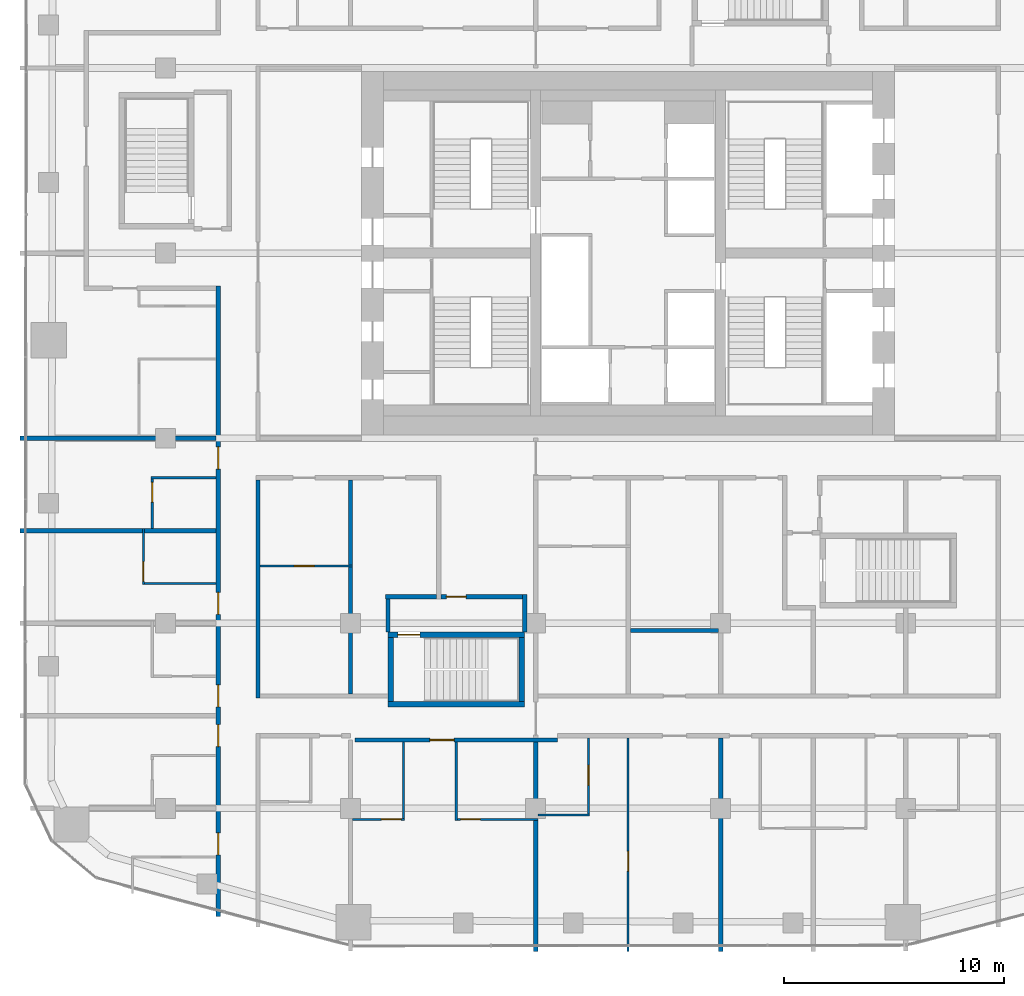
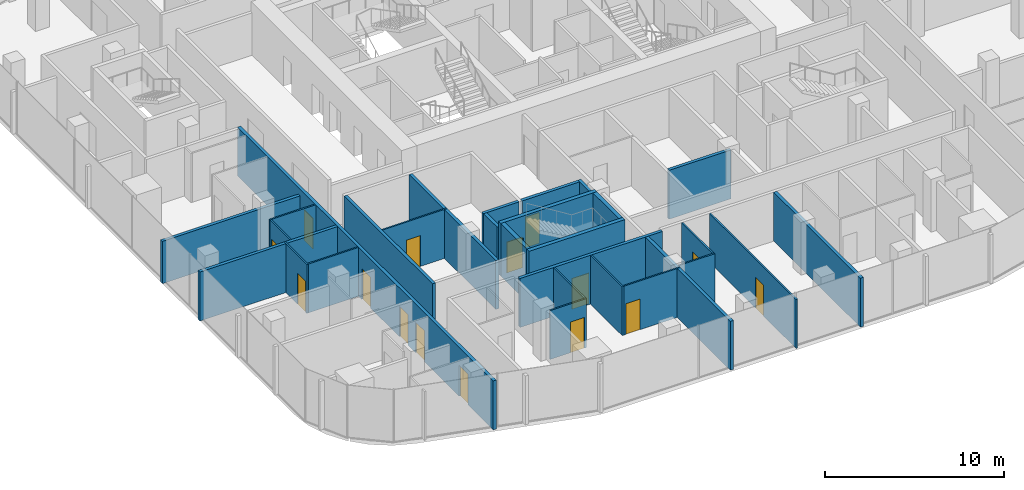
# One storey, part 14 of 23: 29 walls, 15 doors, 15 openings.
"""IFC4 building model written with IfcOpenShell, lengths in metres."""

from ifc_helpers import new_model, si_unit, direction, frame, frame_2d, origin, place, context, subcontext, project, spatial, rectangle, extrude, material, layer, layer_set, type_object, element, fill, save


model = new_model("IFC4")

# Units and contexts
model_context = context("Model", 3, precision=1e-05, world=origin(), true_north=direction((0.0, 1.0)))
body_context = subcontext(model_context, "Body", "Model", "MODEL_VIEW")
ifc_project = project(units=[si_unit("LENGTHUNIT", "METRE"), si_unit("AREAUNIT", "SQUARE_METRE"), si_unit("VOLUMEUNIT", "CUBIC_METRE"), si_unit("PLANEANGLEUNIT", "RADIAN"), si_unit("MASSUNIT", "GRAM", prefix="KILO")], contexts=[model_context])

# Site, building, storey
site_placement = place(None, origin())
site = spatial("IfcSite", under=ifc_project, at=site_placement, CompositionType="ELEMENT")
building_placement = place(site_placement, origin())
building = spatial("IfcBuilding", under=site, at=building_placement, Name="Marenta Gate Hotel Tower", CompositionType="ELEMENT")
storey_placement = place(building_placement, frame((0.0, 0.0, 155.300048828125)))
storey = spatial("IfcBuildingStorey", under=building, at=storey_placement, Name="L36", CompositionType="ELEMENT", Elevation=155.300048828125)

# Walls
ifc_material_1 = material(Name="Concrete blockwork", Category="masonry")
ifc_layer_1 = layer(ifc_material_1, 0.199951171875)
ifc_layer_set_1 = layer_set([ifc_layer_1], Name="Concrete blockwork")
wall_type_1 = type_object("IfcWallType", Name="Compartment wall 200 REI 180", PredefinedType="PARTITIONING", material=ifc_layer_set_1)
wall_1_placement = place(storey_placement, frame((-4.199951171875, -23.300048828125, 0.0), z_axis=(0.0, 0.0, 1.0), x_axis=(0.0, 1.0, 0.0)))
element("IfcWall", 1, at=wall_1_placement, inside=storey, type_object=wall_type_1, Name="L36-PTN-W073", PredefinedType="PARTITIONING", context=body_context, shape_type="SweptSolid", body=[
    extrude(rectangle(XDim=9.5, YDim=0.199951171875, at=frame_2d((4.75, 0.0))), origin(), (0.0, 0.0, 1.0), 3.33984375),
])
ifc_material_2 = material(Name="Concrete C40", Category="concrete")
ifc_layer_2 = layer(ifc_material_2, 0.25)
ifc_layer_set_2 = layer_set([ifc_layer_2], Name="Concrete C40")
wall_type_2 = type_object("IfcWallType", Name="Remote stair enclosure wall 250 REI 180", PredefinedType="SHEAR", material=ifc_layer_set_2)
wall_2_placement = place(storey_placement, frame((-10.89990234375, -12.074951171875, 0.099853515625), z_axis=(0.0, 0.0, 1.0), x_axis=(1.0, 0.0, 0.0)))
element("IfcWall", 2, at=wall_2_placement, inside=storey, type_object=wall_type_2, Name="L36-RS-Z2-1-W1", PredefinedType="SHEAR", context=body_context, shape_type="SweptSolid", body=[
    extrude(rectangle(XDim=6.199951171875, YDim=0.25, at=frame_2d((3.10009765625, 0.0))), origin(), (0.0, 0.0, 1.0), 3.60009765625),
])

# Wall, opening, door
wall_3_placement = place(storey_placement, frame((-10.89990234375, -8.925048828125, 0.099853515625), z_axis=(0.0, 0.0, 1.0), x_axis=(1.0, 0.0, 0.0)))
wall_3 = element("IfcWall", 3, at=wall_3_placement, inside=storey, type_object=wall_type_2, Name="L36-RS-Z2-1-W2", PredefinedType="SHEAR", context=body_context, shape_type="SweptSolid", body=[
    extrude(rectangle(XDim=6.199951171875, YDim=0.25, at=frame_2d((3.10009765625, 0.0))), origin(), (0.0, 0.0, 1.0), 3.60009765625),
])
opening_1_placement = place(wall_3_placement, frame((0.449951171875, 0.0, 0.0)))
opening_1 = element("IfcOpeningElement", 4, at=opening_1_placement, cuts=wall_3, Name="Opening VD", PredefinedType="OPENING", context=body_context, shape_type="SweptSolid", body=[
    extrude(rectangle(XDim=1.0, YDim=2.10009765625, at=frame_2d((0.5, 1.050048828125))), frame((0.0, 0.125, 0.0), z_axis=(0.0, -1.0, 0.0), x_axis=(1.0, 0.0, 0.0)), (0.0, 0.0, 1.0), 0.25),
])
ifc_material_3 = material(Name="Steel", Category="steel")
door_type_1 = type_object("IfcDoorType", Name="Stair vestibule door 1000x2100 FD60", OperationType="SINGLE_SWING_LEFT", PredefinedType="DOOR", material=ifc_material_3)
door_1_placement = place(opening_1_placement, origin())
door_1 = element("IfcDoor", 5, at=door_1_placement, inside=storey, type_object=door_type_1, Name="VD", OperationType="SINGLE_SWING_LEFT", OverallHeight=2.10009765625, OverallWidth=1.0, PredefinedType="DOOR", context=body_context, shape_type="SweptSolid", body=[
    extrude(rectangle(XDim=1.0, YDim=2.10009765625, at=frame_2d((0.5, 1.050048828125))), frame((0.0, 0.02490234375, 0.0), z_axis=(0.0, -1.0, 0.0), x_axis=(1.0, 0.0, 0.0)), (0.0, 0.0, 1.0), 0.050048828125),
])
fill(opening_1, door_1)

# Walls
for number, where, z_axis, x_axis, name in (
    (6, (-10.77490234375, -11.949951171875, 0.099853515625), (0.0, 0.0, 1.0), (0.0, 1.0, 0.0), "L36-RS-Z2-1-W3"),
    (7, (-4.824951171875, -11.949951171875, 0.099853515625), (0.0, 0.0, 1.0), (0.0, 1.0, 0.0), "L36-RS-Z2-1-W4"),
):
    element("IfcWall", number, at=place(storey_placement, frame(where, z_axis=z_axis, x_axis=x_axis)), inside=storey, type_object=wall_type_2, Name=name, PredefinedType="SHEAR", context=body_context, shape_type="SweptSolid", body=[
        extrude(rectangle(XDim=2.89990234375, YDim=0.25, at=frame_2d((1.449951171875, 0.0))), origin(), (0.0, 0.0, 1.0), 3.60009765625),
    ])

# Wall, opening, door
ifc_material_4 = material(Name="Gypsum board on steel stud", Category="steel")
ifc_layer_3 = layer(ifc_material_4, 0.199951171875)
ifc_layer_set_3 = layer_set([ifc_layer_3], Name="Gypsum board on steel stud")
wall_type_3 = type_object("IfcWallType", Name="Room corridor wall 200 EI 60", PredefinedType="PARTITIONING", material=ifc_layer_set_3)
wall_4_placement = place(storey_placement, frame((-12.39990234375, -13.699951171875, 0.0), z_axis=(0.0, 0.0, 1.0), x_axis=(1.0, 0.0, 0.0)))
wall_4 = element("IfcWall", 8, at=wall_4_placement, inside=storey, type_object=wall_type_3, Name="L36-PTN-W024", PredefinedType="PARTITIONING", context=body_context, shape_type="SweptSolid", body=[
    extrude(rectangle(XDim=9.199951171875, YDim=0.199951171875, at=frame_2d((4.60009765625, 0.0))), origin(), (0.0, 0.0, 1.0), 3.33984375),
])
opening_2_placement = place(wall_4_placement, frame((3.39990234375, 0.0, 0.0)))
opening_2 = element("IfcOpeningElement", 9, at=opening_2_placement, cuts=wall_4, Name="Opening G13-31", PredefinedType="OPENING", context=body_context, shape_type="SweptSolid", body=[
    extrude(rectangle(XDim=1.10009765625, YDim=2.10009765625, at=frame_2d((0.550048828125, 1.050048828125))), frame((0.0, 0.10009765625, 0.0), z_axis=(0.0, -1.0, 0.0), x_axis=(1.0, 0.0, 0.0)), (0.0, 0.0, 1.0), 0.199951171875),
])
ifc_material_5 = material(Name="Timber door leaf", Category="wood")
door_type_2 = type_object("IfcDoorType", Name="Guest room door 1100x2100 EI 30", OperationType="NOTDEFINED", PredefinedType="DOOR", material=ifc_material_5)
door_2_placement = place(opening_2_placement, origin())
door_2 = element("IfcDoor", 10, at=door_2_placement, inside=storey, type_object=door_type_2, Name="L36-PD-D031", OperationType="SINGLE_SWING_LEFT", OverallHeight=2.10009765625, OverallWidth=1.10009765625, PredefinedType="DOOR", context=body_context, shape_type="SweptSolid", body=[
    extrude(rectangle(XDim=1.10009765625, YDim=2.10009765625, at=frame_2d((0.550048828125, 1.050048828125))), frame((0.0, 0.02490234375, 0.0), z_axis=(0.0, -1.0, 0.0), x_axis=(1.0, 0.0, 0.0)), (0.0, 0.0, 1.0), 0.050048828125),
])
fill(opening_2, door_2)

# Wall
wall_5_placement = place(storey_placement, frame((-16.800048828125, -11.800048828125, 0.0), z_axis=(0.0, 0.0, 1.0), x_axis=(0.0, 1.0, 0.0)))
element("IfcWall", 11, at=wall_5_placement, inside=storey, type_object=wall_type_3, Name="L36-PTN-W095", PredefinedType="PARTITIONING", context=body_context, shape_type="SweptSolid", body=[
    extrude(rectangle(XDim=9.900146484375, YDim=0.199951171875, at=frame_2d((4.9501953125, 0.0))), origin(), (0.0, 0.0, 1.0), 3.33984375),
])

# Wall, openings, doors
wall_6_placement = place(storey_placement, frame((-18.60009765625, -21.7080078125, 0.0), z_axis=(0.0, 0.0, 1.0), x_axis=(0.0, 1.0, 0.0)))
wall_6 = element("IfcWall", 12, at=wall_6_placement, inside=storey, type_object=wall_type_3, Name="L36-PTN-W101", PredefinedType="PARTITIONING", context=body_context, shape_type="SweptSolid", body=[
    extrude(rectangle(XDim=28.60791015625, YDim=0.199951171875, at=frame_2d((14.303955078125, 0.0))), origin(), (0.0, 0.0, 1.0), 3.33984375),
])
opening_3_placement = place(wall_6_placement, frame((2.800048828125, 0.0, 0.0)))
opening_3 = element("IfcOpeningElement", 13, at=opening_3_placement, cuts=wall_6, Name="Opening G13-43", PredefinedType="OPENING", context=body_context, shape_type="SweptSolid", body=[
    extrude(rectangle(XDim=1.0, YDim=2.10009765625, at=frame_2d((0.5, 1.050048828125))), frame((0.0, 0.10009765625, 0.0), z_axis=(0.0, -1.0, 0.0), x_axis=(1.0, 0.0, 0.0)), (0.0, 0.0, 1.0), 0.199951171875),
])
opening_4_placement = place(wall_6_placement, frame((7.7080078125, 0.0, 0.0)))
opening_4 = element("IfcOpeningElement", 14, at=opening_4_placement, cuts=wall_6, Name="Opening G13-45", PredefinedType="OPENING", context=body_context, shape_type="SweptSolid", body=[
    extrude(rectangle(XDim=1.0, YDim=2.10009765625, at=frame_2d((0.5, 1.050048828125))), frame((0.0, 0.10009765625, 0.0), z_axis=(0.0, -1.0, 0.0), x_axis=(1.0, 0.0, 0.0)), (0.0, 0.0, 1.0), 0.199951171875),
])
opening_5_placement = place(wall_6_placement, frame((9.508056640625, 0.0, 0.0)))
opening_5 = element("IfcOpeningElement", 15, at=opening_5_placement, cuts=wall_6, Name="Opening G13-47", PredefinedType="OPENING", context=body_context, shape_type="SweptSolid", body=[
    extrude(rectangle(XDim=1.0, YDim=2.10009765625, at=frame_2d((0.5, 1.050048828125))), frame((0.0, 0.10009765625, 0.0), z_axis=(0.0, -1.0, 0.0), x_axis=(1.0, 0.0, 0.0)), (0.0, 0.0, 1.0), 0.199951171875),
])
opening_6_placement = place(wall_6_placement, frame((13.7080078125, 0.0, 0.0)))
opening_6 = element("IfcOpeningElement", 16, at=opening_6_placement, cuts=wall_6, Name="Opening G13-49", PredefinedType="OPENING", context=body_context, shape_type="SweptSolid", body=[
    extrude(rectangle(XDim=1.0, YDim=2.10009765625, at=frame_2d((0.5, 1.050048828125))), frame((0.0, 0.10009765625, 0.0), z_axis=(0.0, -1.0, 0.0), x_axis=(1.0, 0.0, 0.0)), (0.0, 0.0, 1.0), 0.199951171875),
])
opening_7_placement = place(wall_6_placement, frame((20.30810546875, 0.0, 0.0)))
opening_7 = element("IfcOpeningElement", 17, at=opening_7_placement, cuts=wall_6, Name="Opening G13-51", PredefinedType="OPENING", context=body_context, shape_type="SweptSolid", body=[
    extrude(rectangle(XDim=1.0, YDim=2.10009765625, at=frame_2d((0.5, 1.050048828125))), frame((0.0, 0.10009765625, 0.0), z_axis=(0.0, -1.0, 0.0), x_axis=(1.0, 0.0, 0.0)), (0.0, 0.0, 1.0), 0.199951171875),
])
ifc_material_6 = material(Name="Timber door leaf", Category="wood")
door_type_3 = type_object("IfcDoorType", Name="Guest room door 1000x2100 EI 30", OperationType="NOTDEFINED", PredefinedType="DOOR", material=ifc_material_6)
door_3_placement = place(opening_3_placement, origin())
door_3 = element("IfcDoor", 18, at=door_3_placement, inside=storey, type_object=door_type_3, Name="L36-PD-D043", OperationType="SINGLE_SWING_LEFT", OverallHeight=2.10009765625, OverallWidth=1.0, PredefinedType="DOOR", context=body_context, shape_type="SweptSolid", body=[
    extrude(rectangle(XDim=1.0, YDim=2.10009765625, at=frame_2d((0.5, 1.050048828125))), frame((0.0, 0.02490234375, 0.0), z_axis=(0.0, -1.0, 0.0), x_axis=(1.0, 0.0, 0.0)), (0.0, 0.0, 1.0), 0.050048828125),
])
fill(opening_3, door_3)
door_4_placement = place(opening_4_placement, origin())
door_4 = element("IfcDoor", 19, at=door_4_placement, inside=storey, type_object=door_type_3, Name="L36-PD-D045", OperationType="SINGLE_SWING_RIGHT", OverallHeight=2.10009765625, OverallWidth=1.0, PredefinedType="DOOR", context=body_context, shape_type="SweptSolid", body=[
    extrude(rectangle(XDim=1.0, YDim=2.10009765625, at=frame_2d((0.5, 1.050048828125))), frame((0.0, 0.02490234375, 0.0), z_axis=(0.0, -1.0, 0.0), x_axis=(1.0, 0.0, 0.0)), (0.0, 0.0, 1.0), 0.050048828125),
])
fill(opening_4, door_4)
door_5_placement = place(opening_5_placement, origin())
door_5 = element("IfcDoor", 20, at=door_5_placement, inside=storey, type_object=door_type_3, Name="L36-PD-D047", OperationType="SINGLE_SWING_RIGHT", OverallHeight=2.10009765625, OverallWidth=1.0, PredefinedType="DOOR", context=body_context, shape_type="SweptSolid", body=[
    extrude(rectangle(XDim=1.0, YDim=2.10009765625, at=frame_2d((0.5, 1.050048828125))), frame((0.0, 0.02490234375, 0.0), z_axis=(0.0, -1.0, 0.0), x_axis=(1.0, 0.0, 0.0)), (0.0, 0.0, 1.0), 0.050048828125),
])
fill(opening_5, door_5)
door_6_placement = place(opening_6_placement, origin())
door_6 = element("IfcDoor", 21, at=door_6_placement, inside=storey, type_object=door_type_3, Name="L36-PD-D049", OperationType="SINGLE_SWING_RIGHT", OverallHeight=2.10009765625, OverallWidth=1.0, PredefinedType="DOOR", context=body_context, shape_type="SweptSolid", body=[
    extrude(rectangle(XDim=1.0, YDim=2.10009765625, at=frame_2d((0.5, 1.050048828125))), frame((0.0, 0.02490234375, 0.0), z_axis=(0.0, -1.0, 0.0), x_axis=(1.0, 0.0, 0.0)), (0.0, 0.0, 1.0), 0.050048828125),
])
fill(opening_6, door_6)
door_7_placement = place(opening_7_placement, origin())
door_7 = element("IfcDoor", 22, at=door_7_placement, inside=storey, type_object=door_type_3, Name="L36-PD-D051", OperationType="SINGLE_SWING_RIGHT", OverallHeight=2.10009765625, OverallWidth=1.0, PredefinedType="DOOR", context=body_context, shape_type="SweptSolid", body=[
    extrude(rectangle(XDim=1.0, YDim=2.10009765625, at=frame_2d((0.5, 1.050048828125))), frame((0.0, 0.02490234375, 0.0), z_axis=(0.0, -1.0, 0.0), x_axis=(1.0, 0.0, 0.0)), (0.0, 0.0, 1.0), 0.050048828125),
])
fill(opening_7, door_7)

# Wall, opening, door
ifc_material_7 = material(Name="Concrete blockwork", Category="masonry")
ifc_layer_4 = layer(ifc_material_7, 0.199951171875)
ifc_layer_set_4 = layer_set([ifc_layer_4], Name="Concrete blockwork")
wall_type_4 = type_object("IfcWallType", Name="Room corridor wall 200 REI 180", PredefinedType="PARTITIONING", material=ifc_layer_set_4)
wall_7_placement = place(storey_placement, frame((-8.5, -7.199951171875, 0.0), z_axis=(0.0, 0.0, 1.0), x_axis=(1.0, 0.0, 0.0)))
wall_7 = element("IfcWall", 23, at=wall_7_placement, inside=storey, type_object=wall_type_4, Name="L36-PTN-W048", PredefinedType="PARTITIONING", context=body_context, shape_type="SweptSolid", body=[
    extrude(rectangle(XDim=3.699951171875, YDim=0.199951171875, at=frame_2d((1.85009765625, 0.0))), origin(), (0.0, 0.0, 1.0), 3.33984375),
])
opening_8_placement = place(wall_7_placement, frame((0.25, 0.0, 0.0)))
opening_8 = element("IfcOpeningElement", 24, at=opening_8_placement, cuts=wall_7, Name="Opening G13-59", PredefinedType="OPENING", context=body_context, shape_type="SweptSolid", body=[
    extrude(rectangle(XDim=0.89990234375, YDim=2.10009765625, at=frame_2d((0.449951171875, 1.050048828125))), frame((0.0, 0.10009765625, 0.0), z_axis=(0.0, -1.0, 0.0), x_axis=(1.0, 0.0, 0.0)), (0.0, 0.0, 1.0), 0.199951171875),
])
ifc_material_8 = material(Name="Hollow steel door set", Category="steel")
door_type_4 = type_object("IfcDoorType", Name="Stair vestibule door 900x2100 EI 60", OperationType="NOTDEFINED", PredefinedType="DOOR", material=ifc_material_8)
door_8_placement = place(opening_8_placement, origin())
door_8 = element("IfcDoor", 25, at=door_8_placement, inside=storey, type_object=door_type_4, Name="L36-PD-D059", OperationType="SINGLE_SWING_RIGHT", OverallHeight=2.10009765625, OverallWidth=0.89990234375, PredefinedType="DOOR", context=body_context, shape_type="SweptSolid", body=[
    extrude(rectangle(XDim=0.89990234375, YDim=2.10009765625, at=frame_2d((0.449951171875, 1.050048828125))), frame((0.0, 0.02490234375, 0.0), z_axis=(0.0, -1.0, 0.0), x_axis=(1.0, 0.0, 0.0)), (0.0, 0.0, 1.0), 0.050048828125),
])
fill(opening_8, door_8)

# Wall
wall_8_placement = place(storey_placement, frame((-4.699951171875, -8.800048828125, 0.0), z_axis=(0.0, 0.0, 1.0), x_axis=(0.0, 1.0, 0.0)))
element("IfcWall", 26, at=wall_8_placement, inside=storey, type_object=wall_type_4, Name="L36-PTN-W077", PredefinedType="PARTITIONING", context=body_context, shape_type="SweptSolid", body=[
    extrude(rectangle(XDim=1.699951171875, YDim=0.199951171875, at=frame_2d((0.85009765625, 0.0))), origin(), (0.0, 0.0, 1.0), 3.33984375),
])

# Wall, opening, door
ifc_material_9 = material(Name="Gypsum board on steel stud", Category="steel")
ifc_layer_5 = layer(ifc_material_9, 0.10009765625)
ifc_layer_set_5 = layer_set([ifc_layer_5], Name="Gypsum board on steel stud")
wall_type_5 = type_object("IfcWallType", Name="Room partition 100", PredefinedType="PARTITIONING", material=ifc_layer_set_5)
wall_9_placement = place(storey_placement, frame((-12.5, -17.300048828125, 0.0), z_axis=(0.0, 0.0, 1.0), x_axis=(1.0, 0.0, 0.0)))
wall_9 = element("IfcWall", 27, at=wall_9_placement, inside=storey, type_object=wall_type_5, Name="L36-PTN-W011", PredefinedType="PARTITIONING", context=body_context, shape_type="SweptSolid", body=[
    extrude(rectangle(XDim=2.35009765625, YDim=0.10009765625, at=frame_2d((1.175048828125, 0.0))), origin(), (0.0, 0.0, 1.0), 3.33984375),
])
opening_9_placement = place(wall_9_placement, frame((1.300048828125, 0.0, 0.0)))
opening_9 = element("IfcOpeningElement", 28, at=opening_9_placement, cuts=wall_9, Name="Opening G13-33", PredefinedType="OPENING", context=body_context, shape_type="SweptSolid", body=[
    extrude(rectangle(XDim=0.89990234375, YDim=2.10009765625, at=frame_2d((0.449951171875, 1.050048828125))), frame((0.0, 0.050048828125, 0.0), z_axis=(0.0, -1.0, 0.0), x_axis=(1.0, 0.0, 0.0)), (0.0, 0.0, 1.0), 0.10009765625),
])
ifc_material_10 = material(Name="Timber door leaf", Category="wood")
door_type_5 = type_object("IfcDoorType", Name="Room inner door 900x2100", OperationType="NOTDEFINED", PredefinedType="DOOR", material=ifc_material_10)
door_9_placement = place(opening_9_placement, origin())
door_9 = element("IfcDoor", 29, at=door_9_placement, inside=storey, type_object=door_type_5, Name="L36-PD-D033", OperationType="SINGLE_SWING_RIGHT", OverallHeight=2.10009765625, OverallWidth=0.89990234375, PredefinedType="DOOR", context=body_context, shape_type="SweptSolid", body=[
    extrude(rectangle(XDim=0.89990234375, YDim=2.10009765625, at=frame_2d((0.449951171875, 1.050048828125))), frame((0.0, 0.02490234375, 0.0), z_axis=(0.0, -1.0, 0.0), x_axis=(1.0, 0.0, 0.0)), (0.0, 0.0, 1.0), 0.050048828125),
])
fill(opening_9, door_9)

wall_10_placement = place(storey_placement, frame((-7.75, -17.300048828125, 0.0), z_axis=(0.0, 0.0, 1.0), x_axis=(1.0, 0.0, 0.0)))
wall_10 = element("IfcWall", 30, at=wall_10_placement, inside=storey, type_object=wall_type_5, Name="L36-PTN-W012", PredefinedType="PARTITIONING", context=body_context, shape_type="SweptSolid", body=[
    extrude(rectangle(XDim=3.64990234375, YDim=0.10009765625, at=frame_2d((1.824951171875, 0.0))), origin(), (0.0, 0.0, 1.0), 3.33984375),
])
opening_10_placement = place(wall_10_placement, frame((0.14990234375, 0.0, 0.0)))
opening_10 = element("IfcOpeningElement", 31, at=opening_10_placement, cuts=wall_10, Name="Opening G13-32", PredefinedType="OPENING", context=body_context, shape_type="SweptSolid", body=[
    extrude(rectangle(XDim=0.89990234375, YDim=2.10009765625, at=frame_2d((0.449951171875, 1.050048828125))), frame((0.0, 0.050048828125, 0.0), z_axis=(0.0, -1.0, 0.0), x_axis=(1.0, 0.0, 0.0)), (0.0, 0.0, 1.0), 0.10009765625),
])
ifc_material_11 = material(Name="Timber door leaf", Category="wood")
door_type_6 = type_object("IfcDoorType", Name="Guest bathroom door 900x2100", OperationType="NOTDEFINED", PredefinedType="DOOR", material=ifc_material_11)
door_10_placement = place(opening_10_placement, origin())
door_10 = element("IfcDoor", 32, at=door_10_placement, inside=storey, type_object=door_type_6, Name="L36-PD-D032", OperationType="SINGLE_SWING_LEFT", OverallHeight=2.10009765625, OverallWidth=0.89990234375, PredefinedType="DOOR", context=body_context, shape_type="SweptSolid", body=[
    extrude(rectangle(XDim=0.89990234375, YDim=2.10009765625, at=frame_2d((0.449951171875, 1.050048828125))), frame((0.0, 0.02490234375, 0.0), z_axis=(0.0, -1.0, 0.0), x_axis=(1.0, 0.0, 0.0)), (0.0, 0.0, 1.0), 0.050048828125),
])
fill(opening_10, door_10)

# Walls
wall_11_placement = place(storey_placement, frame((-4.10009765625, -17.10009765625, 0.0), z_axis=(0.0, 0.0, 1.0), x_axis=(1.0, 0.0, 0.0)))
element("IfcWall", 33, at=wall_11_placement, inside=storey, type_object=wall_type_5, Name="L36-PTN-W013", PredefinedType="PARTITIONING", context=body_context, shape_type="SweptSolid", body=[
    extrude(rectangle(XDim=2.35009765625, YDim=0.10009765625, at=frame_2d((1.175048828125, 0.0))), origin(), (0.0, 0.0, 1.0), 3.33984375),
])
wall_12_placement = place(storey_placement, frame((-21.949951171875, -6.60009765625, 0.0), z_axis=(0.0, 0.0, 1.0), x_axis=(1.0, 0.0, 0.0)))
element("IfcWall", 34, at=wall_12_placement, inside=storey, type_object=wall_type_5, Name="L36-PTN-W051", PredefinedType="PARTITIONING", context=body_context, shape_type="SweptSolid", body=[
    extrude(rectangle(XDim=3.25, YDim=0.10009765625, at=frame_2d((1.625, 0.0))), origin(), (0.0, 0.0, 1.0), 3.33984375),
])

# Wall, opening, door
wall_13_placement = place(storey_placement, frame((-16.699951171875, -5.800048828125, 0.0), z_axis=(0.0, 0.0, 1.0), x_axis=(1.0, 0.0, 0.0)))
wall_13 = element("IfcWall", 35, at=wall_13_placement, inside=storey, type_object=wall_type_5, Name="L36-PTN-W053", PredefinedType="PARTITIONING", context=body_context, shape_type="SweptSolid", body=[
    extrude(rectangle(XDim=4.199951171875, YDim=0.10009765625, at=frame_2d((2.10009765625, 0.0))), origin(), (0.0, 0.0, 1.0), 3.33984375),
])
opening_11_placement = place(wall_13_placement, frame((1.550048828125, 0.0, 0.0)))
opening_11 = element("IfcOpeningElement", 36, at=opening_11_placement, cuts=wall_13, Name="Opening G13-02", PredefinedType="OPENING", context=body_context, shape_type="SweptSolid", body=[
    extrude(rectangle(XDim=0.89990234375, YDim=2.10009765625, at=frame_2d((0.449951171875, 1.050048828125))), frame((0.0, 0.050048828125, 0.0), z_axis=(0.0, -1.0, 0.0), x_axis=(1.0, 0.0, 0.0)), (0.0, 0.0, 1.0), 0.10009765625),
])
door_11_placement = place(opening_11_placement, origin())
door_11 = element("IfcDoor", 37, at=door_11_placement, inside=storey, type_object=door_type_5, Name="L36-PD-D002", OperationType="SINGLE_SWING_RIGHT", OverallHeight=2.10009765625, OverallWidth=0.89990234375, PredefinedType="DOOR", context=body_context, shape_type="SweptSolid", body=[
    extrude(rectangle(XDim=0.89990234375, YDim=2.10009765625, at=frame_2d((0.449951171875, 1.050048828125))), frame((0.0, 0.02490234375, 0.0), z_axis=(0.0, -1.0, 0.0), x_axis=(1.0, 0.0, 0.0)), (0.0, 0.0, 1.0), 0.050048828125),
])
fill(opening_11, door_11)

# Wall
wall_14_placement = place(storey_placement, frame((-21.64990234375, -1.800048828125, 0.0), z_axis=(0.0, 0.0, 1.0), x_axis=(1.0, 0.0, 0.0)))
element("IfcWall", 38, at=wall_14_placement, inside=storey, type_object=wall_type_5, Name="L36-PTN-W061", PredefinedType="PARTITIONING", context=body_context, shape_type="SweptSolid", body=[
    extrude(rectangle(XDim=2.949951171875, YDim=0.10009765625, at=frame_2d((1.47509765625, 0.0))), origin(), (0.0, 0.0, 1.0), 3.33984375),
])

# Wall, opening, door
wall_15_placement = place(storey_placement, frame((0.0, -23.300048828125, 0.0), z_axis=(0.0, 0.0, 1.0), x_axis=(0.0, 1.0, 0.0)))
wall_15 = element("IfcWall", 39, at=wall_15_placement, inside=storey, type_object=wall_type_5, Name="L36-PTN-W066", PredefinedType="PARTITIONING", context=body_context, shape_type="SweptSolid", body=[
    extrude(rectangle(XDim=9.699951171875, YDim=0.10009765625, at=frame_2d((4.85009765625, 0.0))), origin(), (0.0, 0.0, 1.0), 3.33984375),
])
opening_12_placement = place(wall_15_placement, frame((3.64990234375, 0.0, 0.0)))
opening_12 = element("IfcOpeningElement", 40, at=opening_12_placement, cuts=wall_15, Name="Opening G13-35", PredefinedType="OPENING", context=body_context, shape_type="SweptSolid", body=[
    extrude(rectangle(XDim=0.89990234375, YDim=2.10009765625, at=frame_2d((0.449951171875, 1.050048828125))), frame((0.0, 0.050048828125, 0.0), z_axis=(0.0, -1.0, 0.0), x_axis=(1.0, 0.0, 0.0)), (0.0, 0.0, 1.0), 0.10009765625),
])
door_12_placement = place(opening_12_placement, origin())
door_12 = element("IfcDoor", 41, at=door_12_placement, inside=storey, type_object=door_type_5, Name="L36-PD-D035", OperationType="SINGLE_SWING_RIGHT", OverallHeight=2.10009765625, OverallWidth=0.89990234375, PredefinedType="DOOR", context=body_context, shape_type="SweptSolid", body=[
    extrude(rectangle(XDim=0.89990234375, YDim=2.10009765625, at=frame_2d((0.449951171875, 1.050048828125))), frame((0.0, 0.02490234375, 0.0), z_axis=(0.0, -1.0, 0.0), x_axis=(1.0, 0.0, 0.0)), (0.0, 0.0, 1.0), 0.050048828125),
])
fill(opening_12, door_12)

wall_16_placement = place(storey_placement, frame((-1.800048828125, -17.050048828125, 0.0), z_axis=(0.0, 0.0, 1.0), x_axis=(0.0, 1.0, 0.0)))
wall_16 = element("IfcWall", 42, at=wall_16_placement, inside=storey, type_object=wall_type_5, Name="L36-PTN-W070", PredefinedType="PARTITIONING", context=body_context, shape_type="SweptSolid", body=[
    extrude(rectangle(XDim=3.449951171875, YDim=0.10009765625, at=frame_2d((1.72509765625, 0.0))), origin(), (0.0, 0.0, 1.0), 3.33984375),
])
opening_13_placement = place(wall_16_placement, frame((1.300048828125, 0.0, 0.0)))
opening_13 = element("IfcOpeningElement", 43, at=opening_13_placement, cuts=wall_16, Name="Opening G13-36", PredefinedType="OPENING", context=body_context, shape_type="SweptSolid", body=[
    extrude(rectangle(XDim=0.89990234375, YDim=2.10009765625, at=frame_2d((0.449951171875, 1.050048828125))), frame((0.0, 0.050048828125, 0.0), z_axis=(0.0, -1.0, 0.0), x_axis=(1.0, 0.0, 0.0)), (0.0, 0.0, 1.0), 0.10009765625),
])
door_13_placement = place(opening_13_placement, origin())
door_13 = element("IfcDoor", 44, at=door_13_placement, inside=storey, type_object=door_type_6, Name="L36-PD-D036", OperationType="SINGLE_SWING_LEFT", OverallHeight=2.10009765625, OverallWidth=0.89990234375, PredefinedType="DOOR", context=body_context, shape_type="SweptSolid", body=[
    extrude(rectangle(XDim=0.89990234375, YDim=2.10009765625, at=frame_2d((0.449951171875, 1.050048828125))), frame((0.0, 0.02490234375, 0.0), z_axis=(0.0, -1.0, 0.0), x_axis=(1.0, 0.0, 0.0)), (0.0, 0.0, 1.0), 0.050048828125),
])
fill(opening_13, door_13)

# Walls
wall_17_placement = place(storey_placement, frame((-7.800048828125, -17.35009765625, 0.0), z_axis=(0.0, 0.0, 1.0), x_axis=(0.0, 1.0, 0.0)))
element("IfcWall", 45, at=wall_17_placement, inside=storey, type_object=wall_type_5, Name="L36-PTN-W081", PredefinedType="PARTITIONING", context=body_context, shape_type="SweptSolid", body=[
    extrude(rectangle(XDim=3.550048828125, YDim=0.10009765625, at=frame_2d((1.77490234375, 0.0))), origin(), (0.0, 0.0, 1.0), 3.33984375),
])
wall_18_placement = place(storey_placement, frame((-10.199951171875, -17.25, 0.0), z_axis=(0.0, 0.0, 1.0), x_axis=(0.0, 1.0, 0.0)))
element("IfcWall", 46, at=wall_18_placement, inside=storey, type_object=wall_type_5, Name="L36-PTN-W086", PredefinedType="PARTITIONING", context=body_context, shape_type="SweptSolid", body=[
    extrude(rectangle(XDim=3.449951171875, YDim=0.10009765625, at=frame_2d((1.72509765625, 0.0))), origin(), (0.0, 0.0, 1.0), 3.33984375),
])

# Wall, opening, door
wall_19_placement = place(storey_placement, frame((-21.60009765625, -4.10009765625, 0.0), z_axis=(0.0, 0.0, 1.0), x_axis=(0.0, 1.0, 0.0)))
wall_19 = element("IfcWall", 47, at=wall_19_placement, inside=storey, type_object=wall_type_5, Name="L36-PTN-W109", PredefinedType="PARTITIONING", context=body_context, shape_type="SweptSolid", body=[
    extrude(rectangle(XDim=2.25, YDim=0.10009765625, at=frame_2d((1.125, 0.0))), origin(), (0.0, 0.0, 1.0), 3.33984375),
])
opening_14_placement = place(wall_19_placement, frame((1.199951171875, 0.0, 0.0)))
opening_14 = element("IfcOpeningElement", 48, at=opening_14_placement, cuts=wall_19, Name="Opening G13-52", PredefinedType="OPENING", context=body_context, shape_type="SweptSolid", body=[
    extrude(rectangle(XDim=0.89990234375, YDim=2.10009765625, at=frame_2d((0.449951171875, 1.050048828125))), frame((0.0, 0.050048828125, 0.0), z_axis=(0.0, -1.0, 0.0), x_axis=(1.0, 0.0, 0.0)), (0.0, 0.0, 1.0), 0.10009765625),
])
door_14_placement = place(opening_14_placement, origin())
door_14 = element("IfcDoor", 49, at=door_14_placement, inside=storey, type_object=door_type_6, Name="L36-PD-D052", OperationType="SINGLE_SWING_LEFT", OverallHeight=2.10009765625, OverallWidth=0.89990234375, PredefinedType="DOOR", context=body_context, shape_type="SweptSolid", body=[
    extrude(rectangle(XDim=0.89990234375, YDim=2.10009765625, at=frame_2d((0.449951171875, 1.050048828125))), frame((0.0, 0.02490234375, 0.0), z_axis=(0.0, -1.0, 0.0), x_axis=(1.0, 0.0, 0.0)), (0.0, 0.0, 1.0), 0.050048828125),
])
fill(opening_14, door_14)

wall_20_placement = place(storey_placement, frame((-22.0, -6.64990234375, 0.0), z_axis=(0.0, 0.0, 1.0), x_axis=(0.0, 1.0, 0.0)))
wall_20 = element("IfcWall", 50, at=wall_20_placement, inside=storey, type_object=wall_type_5, Name="L36-PTN-W110", PredefinedType="PARTITIONING", context=body_context, shape_type="SweptSolid", body=[
    extrude(rectangle(XDim=2.5498046875, YDim=0.10009765625, at=frame_2d((1.27490234375, 0.0))), origin(), (0.0, 0.0, 1.0), 3.33984375),
])
opening_15_placement = place(wall_20_placement, frame((0.14990234375, 0.0, 0.0)))
opening_15 = element("IfcOpeningElement", 51, at=opening_15_placement, cuts=wall_20, Name="Opening G13-50", PredefinedType="OPENING", context=body_context, shape_type="SweptSolid", body=[
    extrude(rectangle(XDim=0.89990234375, YDim=2.10009765625, at=frame_2d((0.449951171875, 1.050048828125))), frame((0.0, 0.050048828125, 0.0), z_axis=(0.0, -1.0, 0.0), x_axis=(1.0, 0.0, 0.0)), (0.0, 0.0, 1.0), 0.10009765625),
])
door_15_placement = place(opening_15_placement, origin())
door_15 = element("IfcDoor", 52, at=door_15_placement, inside=storey, type_object=door_type_6, Name="L36-PD-D050", OperationType="SINGLE_SWING_RIGHT", OverallHeight=2.10009765625, OverallWidth=0.89990234375, PredefinedType="DOOR", context=body_context, shape_type="SweptSolid", body=[
    extrude(rectangle(XDim=0.89990234375, YDim=2.10009765625, at=frame_2d((0.449951171875, 1.050048828125))), frame((0.0, 0.02490234375, 0.0), z_axis=(0.0, -1.0, 0.0), x_axis=(1.0, 0.0, 0.0)), (0.0, 0.0, 1.0), 0.050048828125),
])
fill(opening_15, door_15)

# Walls
ifc_material_12 = material(Name="Gypsum board on steel stud", Category="steel")
ifc_layer_6 = layer(ifc_material_12, 0.199951171875)
ifc_layer_set_6 = layer_set([ifc_layer_6], Name="Gypsum board on steel stud")
wall_type_6 = type_object("IfcWallType", Name="Room party wall 200 EI 60", PredefinedType="PARTITIONING", material=ifc_layer_set_6)
wall_21_placement = place(storey_placement, frame((0.10009765625, -8.72998046875, 0.0), z_axis=(0.0, 0.0, 1.0), x_axis=(1.0, 0.0, 0.0)))
element("IfcWall", 53, at=wall_21_placement, inside=storey, type_object=wall_type_6, Name="L36-PTN-W039", PredefinedType="PARTITIONING", context=body_context, shape_type="SweptSolid", body=[
    extrude(rectangle(XDim=4.0, YDim=0.199951171875, at=frame_2d((2.0, 0.0))), origin(), (0.0, 0.0, 1.0), 3.33984375),
])
wall_22_placement = place(storey_placement, frame((4.199951171875, -23.300048828125, 0.0), z_axis=(0.0, 0.0, 1.0), x_axis=(0.0, 1.0, 0.0)))
element("IfcWall", 54, at=wall_22_placement, inside=storey, type_object=wall_type_6, Name="L36-PTN-W056", PredefinedType="PARTITIONING", context=body_context, shape_type="SweptSolid", body=[
    extrude(rectangle(XDim=9.699951171875, YDim=0.199951171875, at=frame_2d((4.85009765625, 0.0))), origin(), (0.0, 0.0, 1.0), 3.33984375),
])
wall_23_placement = place(storey_placement, frame((-27.60009765625, -4.199951171875, 0.0), z_axis=(0.0, 0.0, 1.0), x_axis=(1.0, 0.0, 0.0)))
element("IfcWall", 55, at=wall_23_placement, inside=storey, type_object=wall_type_6, Name="L36-PTN-W059", PredefinedType="PARTITIONING", context=body_context, shape_type="SweptSolid", body=[
    extrude(rectangle(XDim=8.900146484375, YDim=0.199951171875, at=frame_2d((4.4501953125, 0.0))), origin(), (0.0, 0.0, 1.0), 3.33984375),
])
wall_24_placement = place(storey_placement, frame((-27.60009765625, 0.0, 0.0), z_axis=(0.0, 0.0, 1.0), x_axis=(1.0, 0.0, 0.0)))
element("IfcWall", 56, at=wall_24_placement, inside=storey, type_object=wall_type_6, Name="L36-PTN-W068", PredefinedType="PARTITIONING", context=body_context, shape_type="SweptSolid", body=[
    extrude(rectangle(XDim=8.900146484375, YDim=0.199951171875, at=frame_2d((4.4501953125, 0.0))), origin(), (0.0, 0.0, 1.0), 2.889892578125),
])
wall_25_placement = place(storey_placement, frame((-12.60009765625, -11.60009765625, 0.0), z_axis=(0.0, 0.0, 1.0), x_axis=(0.0, 1.0, 0.0)))
element("IfcWall", 57, at=wall_25_placement, inside=storey, type_object=wall_type_6, Name="L36-PTN-W089", PredefinedType="PARTITIONING", context=body_context, shape_type="SweptSolid", body=[
    extrude(rectangle(XDim=9.7001953125, YDim=0.199951171875, at=frame_2d((4.85009765625, 0.0))), origin(), (0.0, 0.0, 1.0), 3.33984375),
])
ifc_material_13 = material(Name="Concrete blockwork", Category="masonry")
ifc_layer_7 = layer(ifc_material_13, 0.199951171875)
ifc_layer_set_7 = layer_set([ifc_layer_7], Name="Concrete blockwork")
wall_type_7 = type_object("IfcWallType", Name="Room party wall 200 REI 180", PredefinedType="PARTITIONING", material=ifc_layer_set_7)
wall_26_placement = place(storey_placement, frame((-11.0, -7.199951171875, 0.0), z_axis=(0.0, 0.0, 1.0), x_axis=(1.0, 0.0, 0.0)))
element("IfcWall", 58, at=wall_26_placement, inside=storey, type_object=wall_type_7, Name="L36-PTN-W047", PredefinedType="PARTITIONING", context=body_context, shape_type="SweptSolid", body=[
    extrude(rectangle(XDim=2.300048828125, YDim=0.199951171875, at=frame_2d((1.14990234375, 0.0))), origin(), (0.0, 0.0, 1.0), 3.33984375),
])
wall_27_placement = place(storey_placement, frame((-10.89990234375, -8.800048828125, 0.0), z_axis=(0.0, 0.0, 1.0), x_axis=(0.0, 1.0, 0.0)))
element("IfcWall", 59, at=wall_27_placement, inside=storey, type_object=wall_type_7, Name="L36-PTN-W087", PredefinedType="PARTITIONING", context=body_context, shape_type="SweptSolid", body=[
    extrude(rectangle(XDim=1.5, YDim=0.199951171875, at=frame_2d((0.75, 0.0))), origin(), (0.0, 0.0, 1.0), 3.33984375),
])

save(model, "model.ifc")
